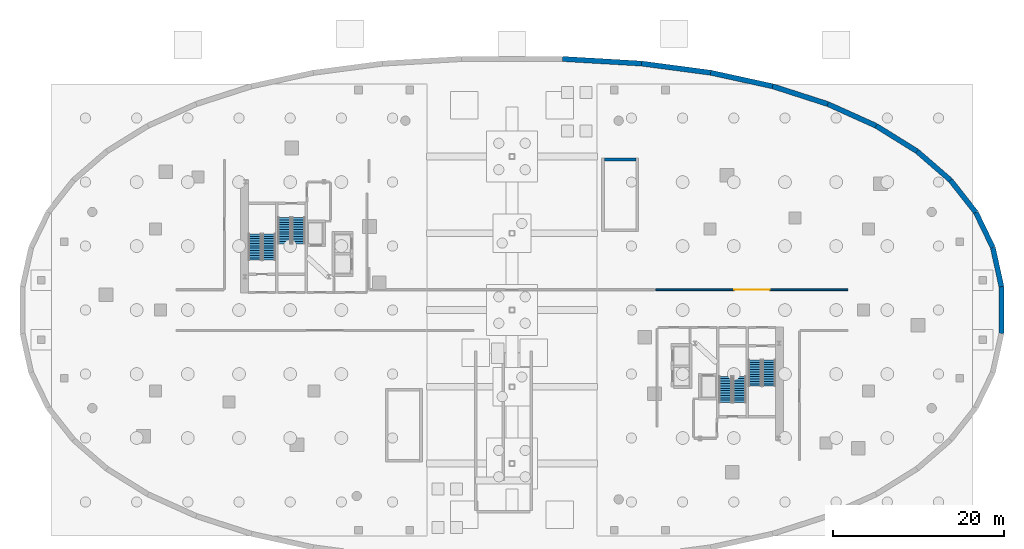
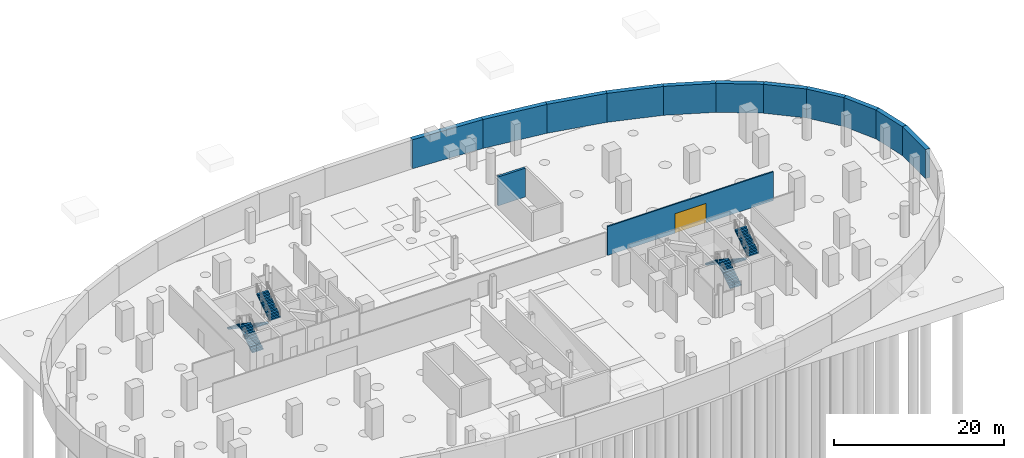
# One storey, part 7 of 10: 13 walls, 8 stair flights, 1 door, 1 opening, 4 elements without a shape of their own.
"""IFC4 building model written with IfcOpenShell, lengths in metres."""

from ifc_helpers import new_model, si_unit, direction, frame, frame_2d, origin, place, context, subcontext, project, spatial, polyline, rectangle, outline, extrude, material, layer, layer_set, type_object, element, fill, aggregate, save


model = new_model("IFC4")

# Units and contexts
model_context = context("Model", 3, precision=1e-05, world=origin(), true_north=direction((0.0, 1.0)))
body_context = subcontext(model_context, "Body", "Model", "MODEL_VIEW")
ifc_project = project(units=[si_unit("LENGTHUNIT", "METRE"), si_unit("AREAUNIT", "SQUARE_METRE"), si_unit("VOLUMEUNIT", "CUBIC_METRE"), si_unit("PLANEANGLEUNIT", "RADIAN"), si_unit("MASSUNIT", "GRAM", prefix="KILO"), si_unit("THERMODYNAMICTEMPERATUREUNIT", "KELVIN"), si_unit("POWERUNIT", "WATT")], contexts=[model_context])

# Site, building, storey
site_placement = place(None, origin())
site = spatial("IfcSite", under=ifc_project, at=site_placement, CompositionType="ELEMENT")
building_placement = place(site_placement, origin())
building = spatial("IfcBuilding", under=site, at=building_placement, Name="Cundina Bronze Exchange", CompositionType="ELEMENT")
storey_placement = place(building_placement, frame((0.0, 0.0, -9.0)))
storey = spatial("IfcBuildingStorey", under=building, at=storey_placement, Name="B02", CompositionType="ELEMENT", Elevation=-9.0)

# Wall, opening, door
ifc_material_1 = material(Name="Gypsum Fireboard Partition EI120")
ifc_layer_1 = layer(ifc_material_1, 0.179931640625, Name="Gypsum Fireboard Partition EI120")
ifc_layer_set_1 = layer_set([ifc_layer_1], Name="Gypsum Fireboard Partition EI120")
wall_type_1 = type_object("IfcWallType", Name="WL-COR-180", PredefinedType="PARTITIONING", material=ifc_layer_set_1)
wall_1_placement = place(storey_placement, frame((39.37841796875, 2.3798828125, 0.0), z_axis=(0.0, 0.0, 1.0), x_axis=(-1.0, 0.0, 0.0)))
wall_1 = element("IfcWall", 1, at=wall_1_placement, inside=storey, type_object=wall_type_1, Name="B02 Interior Partition 023", PredefinedType="PARTITIONING", context=body_context, shape_type="SweptSolid", body=[
    extrude(rectangle(XDim=22.50830078125, YDim=0.179931640625, at=frame_2d((11.254150390625, 0.0))), origin(), (0.0, 0.0, 1.0), 4.14990234375),
])
opening_placement = place(wall_1_placement, frame((9.154296875, 0.0, 0.0)))
opening = element("IfcOpeningElement", 2, at=opening_placement, cuts=wall_1, Name="Opening GT-02", PredefinedType="OPENING", context=body_context, shape_type="SweptSolid", body=[
    extrude(rectangle(XDim=4.199951171875, YDim=2.800048828125, at=frame_2d((2.10009765625, 1.39990234375))), frame((0.0, 0.099853515625, 0.0), z_axis=(0.0, -1.0, 0.0), x_axis=(1.0, 0.0, 0.0)), (0.0, 0.0, 1.0), 0.199951171875),
])
ifc_material_2 = material(Name="Steel ASTM A36 Painted", Category="steel")
door_type = type_object("IfcDoorType", Name="DR-GAT-SWG4200", OperationType="NOTDEFINED", PredefinedType="GATE", material=ifc_material_2)
door_placement = place(opening_placement, origin())
door = element("IfcDoor", 3, at=door_placement, inside=storey, type_object=door_type, Name="B02 Interior Door 023", OperationType="SINGLE_SWING_RIGHT", OverallHeight=2.800048828125, OverallWidth=4.199951171875, PredefinedType="GATE", context=body_context, shape_type="SweptSolid", body=[
    extrude(rectangle(XDim=4.199951171875, YDim=2.800048828125, at=frame_2d((2.10009765625, 1.39990234375))), frame((0.0, 0.02490234375, 0.0), z_axis=(0.0, -1.0, 0.0), x_axis=(1.0, 0.0, 0.0)), (0.0, 0.0, 1.0), 0.050048828125),
])
fill(opening, door)

# Walls
ifc_material_3 = material(Name="Concrete C40/50", Category="concrete")
ifc_layer_2 = layer(ifc_material_3, 0.60009765625, Name="Concrete C40/50", Category="concrete")
ifc_layer_set_2 = layer_set([ifc_layer_2], Name="Concrete C40/50")
wall_type_2 = type_object("IfcWallType", Name="WL-RET-600", PredefinedType="USERDEFINED", material=ifc_layer_set_2)
wall_2_placement = place(storey_placement, frame((57.3740234375, 2.739990234375, 0.0), z_axis=(0.0, 0.0, 1.0), x_axis=(-0.214510247434, 0.976721738135, 0.0)))
element("IfcWall", 4, at=wall_2_placement, inside=storey, type_object=wall_type_2, Name="B02 Perimeter Concrete Retaining Wall 01", ObjectType="RETAININGWALL", PredefinedType="USERDEFINED", context=body_context, shape_type="SweptSolid", body=[
    extrude(rectangle(XDim=4.690185546875, YDim=0.60009765625, at=frame_2d((2.34521484375, 0.0))), origin(), (0.0, 0.0, 1.0), 4.14990234375),
])
wall_3_placement = place(storey_placement, frame((56.367919921875, 7.321044921875, 0.0), z_axis=(0.0, 0.0, 1.0), x_axis=(-0.435772260249, 0.900056963307, 0.0)))
element("IfcWall", 5, at=wall_3_placement, inside=storey, type_object=wall_type_2, Name="B02 Perimeter Concrete Retaining Wall 02", ObjectType="RETAININGWALL", PredefinedType="USERDEFINED", context=body_context, shape_type="SweptSolid", body=[
    extrude(rectangle(XDim=4.589599609375, YDim=0.60009765625, at=frame_2d((2.294921875, 0.0))), origin(), (0.0, 0.0, 1.0), 4.14990234375),
])
wall_4_placement = place(storey_placement, frame((54.367919921875, 11.451904296875, 0.0), z_axis=(0.0, 0.0, 1.0), x_axis=(-0.619447864054, 0.785037797637, 0.0)))
element("IfcWall", 6, at=wall_4_placement, inside=storey, type_object=wall_type_2, Name="B02 Perimeter Concrete Retaining Wall 03", ObjectType="RETAININGWALL", PredefinedType="USERDEFINED", context=body_context, shape_type="SweptSolid", body=[
    extrude(rectangle(XDim=4.796142578125, YDim=0.60009765625, at=frame_2d((2.39794921875, 0.0))), origin(), (0.0, 0.0, 1.0), 4.14990234375),
])
wall_5_placement = place(storey_placement, frame((51.39697265625, 15.217041015625, 0.0), z_axis=(0.0, 0.0, 1.0), x_axis=(-0.755564536906, 0.655074217605, 0.0)))
element("IfcWall", 7, at=wall_5_placement, inside=storey, type_object=wall_type_2, Name="B02 Perimeter Concrete Retaining Wall 04", ObjectType="RETAININGWALL", PredefinedType="USERDEFINED", context=body_context, shape_type="SweptSolid", body=[
    extrude(rectangle(XDim=5.1748046875, YDim=0.60009765625, at=frame_2d((2.58740234375, 0.0))), origin(), (0.0, 0.0, 1.0), 4.14990234375),
])
wall_6_placement = place(storey_placement, frame((47.487060546875, 18.60693359375, 0.0), z_axis=(0.0, 0.0, 1.0), x_axis=(-0.849299437699, 0.527911417877, 0.0)))
element("IfcWall", 8, at=wall_6_placement, inside=storey, type_object=wall_type_2, Name="B02 Perimeter Concrete Retaining Wall 05", ObjectType="RETAININGWALL", PredefinedType="USERDEFINED", context=body_context, shape_type="SweptSolid", body=[
    extrude(rectangle(XDim=5.66015625, YDim=0.60009765625, at=frame_2d((2.830078125, 0.0))), origin(), (0.0, 0.0, 1.0), 4.14990234375),
])
wall_7_placement = place(storey_placement, frame((42.679931640625, 21.594970703125, 0.0), z_axis=(0.0, 0.0, 1.0), x_axis=(-0.911643952457, 0.410980904603, 0.0)))
element("IfcWall", 9, at=wall_7_placement, inside=storey, type_object=wall_type_2, Name="B02 Perimeter Concrete Retaining Wall 06", ObjectType="RETAININGWALL", PredefinedType="USERDEFINED", context=body_context, shape_type="SweptSolid", body=[
    extrude(rectangle(XDim=6.20947265625, YDim=0.60009765625, at=frame_2d((3.104736328125, 0.0))), origin(), (0.0, 0.0, 1.0), 4.14990234375),
])
wall_8_placement = place(storey_placement, frame((37.01904296875, 24.14697265625, 0.0), z_axis=(0.0, 0.0, 1.0), x_axis=(-0.951843868052, 0.306583187492, 0.0)))
element("IfcWall", 10, at=wall_8_placement, inside=storey, type_object=wall_type_2, Name="B02 Perimeter Concrete Retaining Wall 07", ObjectType="RETAININGWALL", PredefinedType="USERDEFINED", context=body_context, shape_type="SweptSolid", body=[
    extrude(rectangle(XDim=6.800537109375, YDim=0.60009765625, at=frame_2d((3.400390625, 0.0))), origin(), (0.0, 0.0, 1.0), 4.14990234375),
])
wall_9_placement = place(storey_placement, frame((30.5458984375, 26.23193359375, 0.0), z_axis=(0.0, 0.0, 1.0), x_axis=(-0.976902373216, 0.213686109059, 0.0)))
element("IfcWall", 11, at=wall_9_placement, inside=storey, type_object=wall_type_2, Name="B02 Perimeter Concrete Retaining Wall 08", ObjectType="RETAININGWALL", PredefinedType="USERDEFINED", context=body_context, shape_type="SweptSolid", body=[
    extrude(rectangle(XDim=7.436767578125, YDim=0.60009765625, at=frame_2d((3.71826171875, 0.0))), origin(), (0.0, 0.0, 1.0), 4.14990234375),
])
wall_10_placement = place(storey_placement, frame((23.281005859375, 27.821044921875, 0.0), z_axis=(0.0, 0.0, 1.0), x_axis=(-0.991355566156, 0.131202673187, 0.0)))
element("IfcWall", 12, at=wall_10_placement, inside=storey, type_object=wall_type_2, Name="B02 Perimeter Concrete Retaining Wall 09", ObjectType="RETAININGWALL", PredefinedType="USERDEFINED", context=body_context, shape_type="SweptSolid", body=[
    extrude(rectangle(XDim=8.170654296875, YDim=0.60009765625, at=frame_2d((4.08544921875, 0.0))), origin(), (0.0, 0.0, 1.0), 4.14990234375),
])
wall_11_placement = place(storey_placement, frame((15.180908203125, 28.89306640625, 0.0), z_axis=(0.0, 0.0, 1.0), x_axis=(-0.998305864477, 0.058184198455, 0.0)))
element("IfcWall", 13, at=wall_11_placement, inside=storey, type_object=wall_type_2, Name="B02 Perimeter Concrete Retaining Wall 10", ObjectType="RETAININGWALL", PredefinedType="USERDEFINED", context=body_context, shape_type="SweptSolid", body=[
    extrude(rectangle(XDim=9.260498046875, YDim=0.60009765625, at=frame_2d((4.63037109375, 0.0))), origin(), (0.0, 0.0, 1.0), 4.14990234375),
])
wall_12_placement = place(storey_placement, frame((57.3740234375, -2.739990234375, 0.0), z_axis=(0.0, 0.0, 1.0), x_axis=(0.0, 1.0, 0.0)))
element("IfcWall", 14, at=wall_12_placement, inside=storey, type_object=wall_type_2, Name="B02 Perimeter Concrete Retaining Wall 44", ObjectType="RETAININGWALL", PredefinedType="USERDEFINED", context=body_context, shape_type="SweptSolid", body=[
    extrude(rectangle(XDim=5.47998046875, YDim=0.60009765625, at=frame_2d((2.739990234375, 0.0))), origin(), (0.0, 0.0, 1.0), 4.14990234375),
])
ifc_material_4 = material(Name="Concrete C50/60", Category="concrete")
ifc_layer_3 = layer(ifc_material_4, 0.300048828125, Name="Concrete C50/60", Category="concrete")
ifc_layer_set_3 = layer_set([ifc_layer_3], Name="Concrete C50/60")
wall_type_3 = type_object("IfcWallType", Name="WL-SHFT-300", PredefinedType="SHEAR", material=ifc_layer_set_3)
wall_13_placement = place(storey_placement, frame((10.820068359375, 17.64990234375, 0.0), z_axis=(0.0, 0.0, 1.0), x_axis=(1.0, 0.0, 0.0)))
element("IfcWall", 15, at=wall_13_placement, inside=storey, type_object=wall_type_3, Name="B02 Concourse Stair E Landing Wall", PredefinedType="SHEAR", context=body_context, shape_type="SweptSolid", body=[
    extrude(rectangle(XDim=3.699951171875, YDim=0.300048828125, at=frame_2d((1.85009765625, 0.0))), origin(), (0.0, 0.0, 1.0), 4.14990234375),
])

# Stair, stair flights
stair_type = type_object("IfcStairType", Name="STR-POD-400", PredefinedType="HALF_TURN_STAIR", material=ifc_material_3)
stair_1_placement = place(storey_placement, origin())
stair_1 = element("IfcStair", 16, at=stair_1_placement, inside=storey, type_object=stair_type, Name="B02 Smokeproof Exit Stair W1", PredefinedType="HALF_TURN_STAIR")
stair_flight_type = type_object("IfcStairFlightType", Name="FLG-POD-200", PredefinedType="STRAIGHT", material=ifc_material_3)
stair_flight_1_placement = place(storey_placement, frame((-28.489990234375, 5.85009765625, 0.0), z_axis=(0.0, 0.0, 1.0), x_axis=(0.0, 1.0, 0.0)))
stair_flight_1 = element("IfcStairFlight", 17, at=stair_flight_1_placement, type_object=stair_flight_type, Name="ST-W1 flight 1", NumberOfRisers=12, NumberOfTreads=11, PredefinedType="STRAIGHT", RiserHeight=0.1875, TreadLength=0.28, context=body_context, shape_type="SweptSolid", body=[
    extrude(outline(polyline([(0.0, 0.0), (0.0, 0.1875), (0.280029296875, 0.1875), (0.280029296875, 0.375), (0.56005859375, 0.375), (0.56005859375, 0.5625), (0.840087890625, 0.5625), (0.840087890625, 0.75), (1.1201171875, 0.75), (1.1201171875, 0.9375), (1.39990234375, 0.9375), (1.39990234375, 1.125), (1.679931640625, 1.125), (1.679931640625, 1.3125), (1.9599609375, 1.3125), (1.9599609375, 1.5), (2.239990234375, 1.5), (2.239990234375, 1.6875), (2.52001953125, 1.6875), (2.52001953125, 1.875), (2.800048828125, 1.875), (2.800048828125, 2.0625), (3.080078125, 2.0625), (3.080078125, 2.25), (3.080078125, 1.882080078125), (0.26953125, 0.0), (0.0, 0.0)])), frame((0.0, 0.75, 0.0), z_axis=(0.0, -1.0, 0.0), x_axis=(1.0, 0.0, 0.0)), (0.0, 0.0, 1.0), 1.5),
])
stair_flight_2_placement = place(storey_placement, frame((-30.14990234375, 8.929931640625, 2.25), z_axis=(0.0, 0.0, 1.0), x_axis=(0.0, -1.0, 0.0)))
stair_flight_2 = element("IfcStairFlight", 18, at=stair_flight_2_placement, type_object=stair_flight_type, Name="ST-W1 flight 2", NumberOfRisers=12, NumberOfTreads=11, PredefinedType="STRAIGHT", RiserHeight=0.1875, TreadLength=0.28, context=body_context, shape_type="SweptSolid", body=[
    extrude(outline(polyline([(0.0, 0.0), (0.0, 0.1875), (0.280029296875, 0.1875), (0.280029296875, 0.375), (0.56005859375, 0.375), (0.56005859375, 0.5625), (0.840087890625, 0.5625), (0.840087890625, 0.75), (1.1201171875, 0.75), (1.1201171875, 0.9375), (1.39990234375, 0.9375), (1.39990234375, 1.125), (1.679931640625, 1.125), (1.679931640625, 1.3125), (1.9599609375, 1.3125), (1.9599609375, 1.5), (2.239990234375, 1.5), (2.239990234375, 1.6875), (2.52001953125, 1.6875), (2.52001953125, 1.875), (2.800048828125, 1.875), (2.800048828125, 2.0625), (3.080078125, 2.0625), (3.080078125, 2.25), (3.080078125, 1.882080078125), (0.26953125, 0.0), (0.0, 0.0)])), frame((0.0, 0.75, 0.0), z_axis=(0.0, -1.0, 0.0), x_axis=(1.0, 0.0, 0.0)), (0.0, 0.0, 1.0), 1.5),
])
aggregate(stair_1, [stair_flight_1, stair_flight_2])

stair_2_placement = place(storey_placement, origin())
stair_2 = element("IfcStair", 19, at=stair_2_placement, inside=storey, type_object=stair_type, Name="B02 Smokeproof Exit Stair W2", PredefinedType="HALF_TURN_STAIR")
stair_flight_3_placement = place(storey_placement, frame((-26.68994140625, 10.85009765625, 0.0), z_axis=(0.0, 0.0, 1.0), x_axis=(0.0, -1.0, 0.0)))
stair_flight_3 = element("IfcStairFlight", 20, at=stair_flight_3_placement, type_object=stair_flight_type, Name="ST-W2 flight 1", NumberOfRisers=12, NumberOfTreads=11, PredefinedType="STRAIGHT", RiserHeight=0.1875, TreadLength=0.28, context=body_context, shape_type="SweptSolid", body=[
    extrude(outline(polyline([(0.0, 0.0), (0.0, 0.1875), (0.280029296875, 0.1875), (0.280029296875, 0.375), (0.56005859375, 0.375), (0.56005859375, 0.5625), (0.840087890625, 0.5625), (0.840087890625, 0.75), (1.1201171875, 0.75), (1.1201171875, 0.9375), (1.39990234375, 0.9375), (1.39990234375, 1.125), (1.679931640625, 1.125), (1.679931640625, 1.3125), (1.9599609375, 1.3125), (1.9599609375, 1.5), (2.239990234375, 1.5), (2.239990234375, 1.6875), (2.52001953125, 1.6875), (2.52001953125, 1.875), (2.800048828125, 1.875), (2.800048828125, 2.0625), (3.080078125, 2.0625), (3.080078125, 2.25), (3.080078125, 1.882080078125), (0.26953125, 0.0), (0.0, 0.0)])), frame((0.0, 0.75, 0.0), z_axis=(0.0, -1.0, 0.0), x_axis=(1.0, 0.0, 0.0)), (0.0, 0.0, 1.0), 1.5),
])
stair_flight_4_placement = place(storey_placement, frame((-25.030029296875, 7.77001953125, 2.25), z_axis=(0.0, 0.0, 1.0), x_axis=(0.0, 1.0, 0.0)))
stair_flight_4 = element("IfcStairFlight", 21, at=stair_flight_4_placement, type_object=stair_flight_type, Name="ST-W2 flight 2", NumberOfRisers=12, NumberOfTreads=11, PredefinedType="STRAIGHT", RiserHeight=0.1875, TreadLength=0.28, context=body_context, shape_type="SweptSolid", body=[
    extrude(outline(polyline([(0.0, 0.0), (0.0, 0.1875), (0.280029296875, 0.1875), (0.280029296875, 0.375), (0.56005859375, 0.375), (0.56005859375, 0.5625), (0.840087890625, 0.5625), (0.840087890625, 0.75), (1.1201171875, 0.75), (1.1201171875, 0.9375), (1.39990234375, 0.9375), (1.39990234375, 1.125), (1.679931640625, 1.125), (1.679931640625, 1.3125), (1.9599609375, 1.3125), (1.9599609375, 1.5), (2.239990234375, 1.5), (2.239990234375, 1.6875), (2.52001953125, 1.6875), (2.52001953125, 1.875), (2.800048828125, 1.875), (2.800048828125, 2.0625), (3.080078125, 2.0625), (3.080078125, 2.25), (3.080078125, 1.882080078125), (0.26953125, 0.0), (0.0, 0.0)])), frame((0.0, 0.75, 0.0), z_axis=(0.0, -1.0, 0.0), x_axis=(1.0, 0.0, 0.0)), (0.0, 0.0, 1.0), 1.5),
])
aggregate(stair_2, [stair_flight_3, stair_flight_4])

stair_3_placement = place(storey_placement, origin())
stair_3 = element("IfcStair", 22, at=stair_3_placement, inside=storey, type_object=stair_type, Name="B02 Smokeproof Exit Stair E1", PredefinedType="HALF_TURN_STAIR")
stair_flight_5_placement = place(storey_placement, frame((28.489990234375, -5.85009765625, 0.0), z_axis=(0.0, 0.0, 1.0), x_axis=(0.0, -1.0, 0.0)))
stair_flight_5 = element("IfcStairFlight", 23, at=stair_flight_5_placement, type_object=stair_flight_type, Name="ST-E1 flight 1", NumberOfRisers=12, NumberOfTreads=11, PredefinedType="STRAIGHT", RiserHeight=0.1875, TreadLength=0.28, context=body_context, shape_type="SweptSolid", body=[
    extrude(outline(polyline([(0.0, 0.0), (0.0, 0.1875), (0.280029296875, 0.1875), (0.280029296875, 0.375), (0.56005859375, 0.375), (0.56005859375, 0.5625), (0.840087890625, 0.5625), (0.840087890625, 0.75), (1.1201171875, 0.75), (1.1201171875, 0.9375), (1.39990234375, 0.9375), (1.39990234375, 1.125), (1.679931640625, 1.125), (1.679931640625, 1.3125), (1.9599609375, 1.3125), (1.9599609375, 1.5), (2.239990234375, 1.5), (2.239990234375, 1.6875), (2.52001953125, 1.6875), (2.52001953125, 1.875), (2.800048828125, 1.875), (2.800048828125, 2.0625), (3.080078125, 2.0625), (3.080078125, 2.25), (3.080078125, 1.882080078125), (0.26953125, 0.0), (0.0, 0.0)])), frame((0.0, 0.75, 0.0), z_axis=(0.0, -1.0, 0.0), x_axis=(1.0, 0.0, 0.0)), (0.0, 0.0, 1.0), 1.5),
])
stair_flight_6_placement = place(storey_placement, frame((30.14990234375, -8.929931640625, 2.25), z_axis=(0.0, 0.0, 1.0), x_axis=(0.0, 1.0, 0.0)))
stair_flight_6 = element("IfcStairFlight", 24, at=stair_flight_6_placement, type_object=stair_flight_type, Name="ST-E1 flight 2", NumberOfRisers=12, NumberOfTreads=11, PredefinedType="STRAIGHT", RiserHeight=0.1875, TreadLength=0.28, context=body_context, shape_type="SweptSolid", body=[
    extrude(outline(polyline([(0.0, 0.0), (0.0, 0.1875), (0.280029296875, 0.1875), (0.280029296875, 0.375), (0.56005859375, 0.375), (0.56005859375, 0.5625), (0.840087890625, 0.5625), (0.840087890625, 0.75), (1.1201171875, 0.75), (1.1201171875, 0.9375), (1.39990234375, 0.9375), (1.39990234375, 1.125), (1.679931640625, 1.125), (1.679931640625, 1.3125), (1.9599609375, 1.3125), (1.9599609375, 1.5), (2.239990234375, 1.5), (2.239990234375, 1.6875), (2.52001953125, 1.6875), (2.52001953125, 1.875), (2.800048828125, 1.875), (2.800048828125, 2.0625), (3.080078125, 2.0625), (3.080078125, 2.25), (3.080078125, 1.882080078125), (0.26953125, 0.0), (0.0, 0.0)])), frame((0.0, 0.75, 0.0), z_axis=(0.0, -1.0, 0.0), x_axis=(1.0, 0.0, 0.0)), (0.0, 0.0, 1.0), 1.5),
])
aggregate(stair_3, [stair_flight_5, stair_flight_6])

stair_4_placement = place(storey_placement, origin())
stair_4 = element("IfcStair", 25, at=stair_4_placement, inside=storey, type_object=stair_type, Name="B02 Smokeproof Exit Stair E2", PredefinedType="HALF_TURN_STAIR")
stair_flight_7_placement = place(storey_placement, frame((26.68994140625, -10.85009765625, 0.0), z_axis=(0.0, 0.0, 1.0), x_axis=(0.0, 1.0, 0.0)))
stair_flight_7 = element("IfcStairFlight", 26, at=stair_flight_7_placement, type_object=stair_flight_type, Name="ST-E2 flight 1", NumberOfRisers=12, NumberOfTreads=11, PredefinedType="STRAIGHT", RiserHeight=0.1875, TreadLength=0.28, context=body_context, shape_type="SweptSolid", body=[
    extrude(outline(polyline([(0.0, 0.0), (0.0, 0.1875), (0.280029296875, 0.1875), (0.280029296875, 0.375), (0.56005859375, 0.375), (0.56005859375, 0.5625), (0.840087890625, 0.5625), (0.840087890625, 0.75), (1.1201171875, 0.75), (1.1201171875, 0.9375), (1.39990234375, 0.9375), (1.39990234375, 1.125), (1.679931640625, 1.125), (1.679931640625, 1.3125), (1.9599609375, 1.3125), (1.9599609375, 1.5), (2.239990234375, 1.5), (2.239990234375, 1.6875), (2.52001953125, 1.6875), (2.52001953125, 1.875), (2.800048828125, 1.875), (2.800048828125, 2.0625), (3.080078125, 2.0625), (3.080078125, 2.25), (3.080078125, 1.882080078125), (0.26953125, 0.0), (0.0, 0.0)])), frame((0.0, 0.75, 0.0), z_axis=(0.0, -1.0, 0.0), x_axis=(1.0, 0.0, 0.0)), (0.0, 0.0, 1.0), 1.5),
])
stair_flight_8_placement = place(storey_placement, frame((25.030029296875, -7.77001953125, 2.25), z_axis=(0.0, 0.0, 1.0), x_axis=(0.0, -1.0, 0.0)))
stair_flight_8 = element("IfcStairFlight", 27, at=stair_flight_8_placement, type_object=stair_flight_type, Name="ST-E2 flight 2", NumberOfRisers=12, NumberOfTreads=11, PredefinedType="STRAIGHT", RiserHeight=0.1875, TreadLength=0.28, context=body_context, shape_type="SweptSolid", body=[
    extrude(outline(polyline([(0.0, 0.0), (0.0, 0.1875), (0.280029296875, 0.1875), (0.280029296875, 0.375), (0.56005859375, 0.375), (0.56005859375, 0.5625), (0.840087890625, 0.5625), (0.840087890625, 0.75), (1.1201171875, 0.75), (1.1201171875, 0.9375), (1.39990234375, 0.9375), (1.39990234375, 1.125), (1.679931640625, 1.125), (1.679931640625, 1.3125), (1.9599609375, 1.3125), (1.9599609375, 1.5), (2.239990234375, 1.5), (2.239990234375, 1.6875), (2.52001953125, 1.6875), (2.52001953125, 1.875), (2.800048828125, 1.875), (2.800048828125, 2.0625), (3.080078125, 2.0625), (3.080078125, 2.25), (3.080078125, 1.882080078125), (0.26953125, 0.0), (0.0, 0.0)])), frame((0.0, 0.75, 0.0), z_axis=(0.0, -1.0, 0.0), x_axis=(1.0, 0.0, 0.0)), (0.0, 0.0, 1.0), 1.5),
])
aggregate(stair_4, [stair_flight_7, stair_flight_8])

save(model, "model.ifc")
